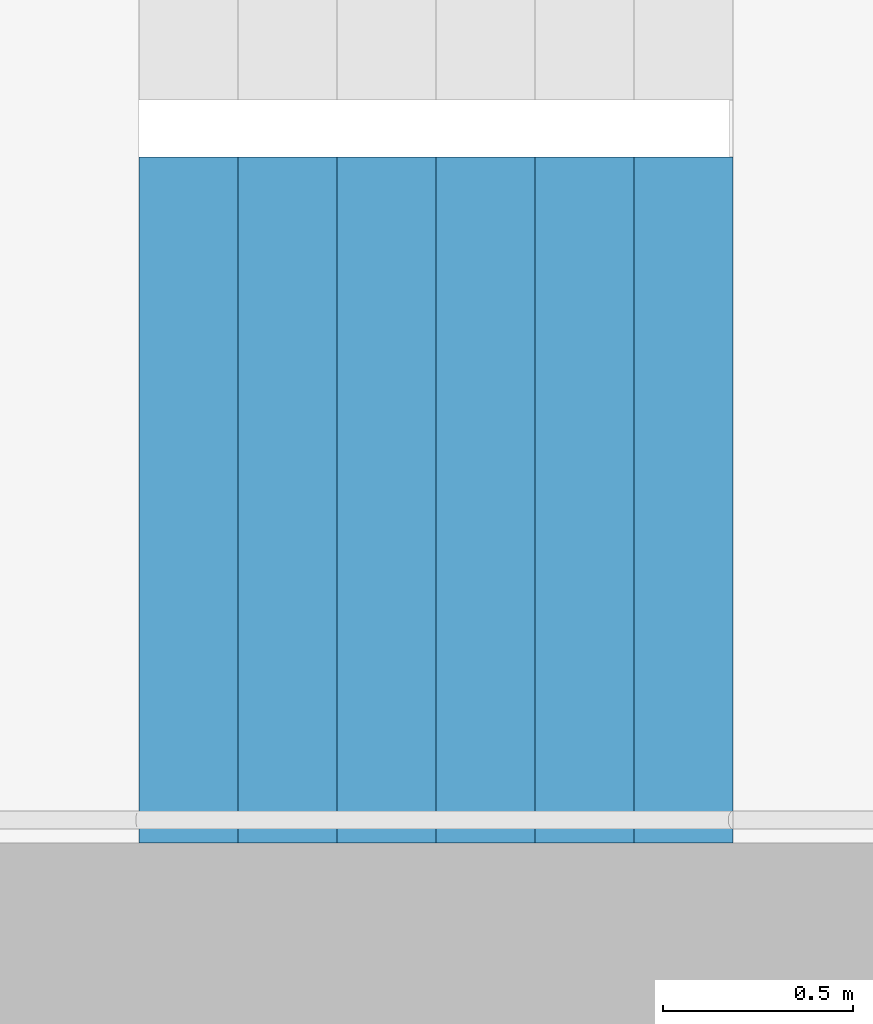
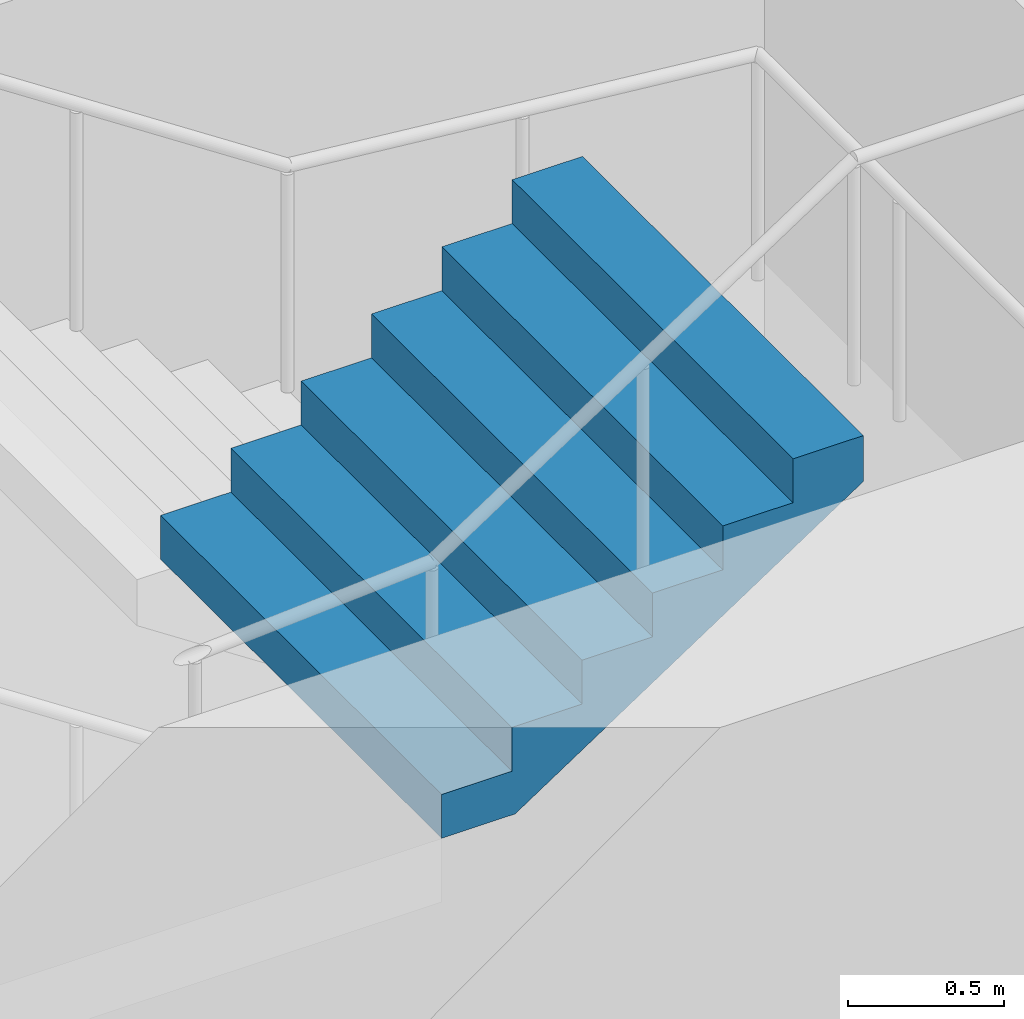
# One storey, part 28 of 53: 1 stair flight, 1 element without a shape of its own.
"""IFC4 building model written with IfcOpenShell, lengths in metres."""

import ifcopenshell
import ifcopenshell.guid

model = None  # the IFC model being written
_history = None  # IfcOwnerHistory: only IFC2X3 demands one
_inside = {}  # id of a spatial element -> (the spatial element, [elements in it])
_under = {}  # id of a project, library or spatial element -> (it, [spatial elements below it])
_declared = {}  # id of a project -> (the project, [libraries it declares])
_typed = {}  # id of a type object -> (the type object, [elements of that type])
_made_of = {}  # id of a material, layer set ... -> (it, [elements and type objects made of it])


def new_model(schema):
    """Start an empty IFC model of exactly this schema.

    Asked for "IFC4X3", IfcOpenShell would pick the latest addendum, in which some entities
    have other attributes; the version numbers below select the first issue.
    IFC2X3 requires an IfcOwnerHistory on every rooted entity: one is made here for all.
    """
    global model, _history
    if schema == "IFC4X3":
        model = ifcopenshell.file(schema_version=(4, 3, 0, 0))
    else:
        model = ifcopenshell.file(schema=schema)
    _inside.clear()
    _under.clear()
    _declared.clear()
    _typed.clear()
    _made_of.clear()
    _history = None
    if model.schema == "IFC2X3":
        org = make("IfcOrganization", Name="unknown")
        user = make(
            "IfcPersonAndOrganization",
            ThePerson=make("IfcPerson", FamilyName="unknown"),
            TheOrganization=org,
        )
        app = make(
            "IfcApplication",
            ApplicationDeveloper=org,
            Version="unknown",
            ApplicationFullName="unknown",
            ApplicationIdentifier="unknown",
        )
        _history = make(
            "IfcOwnerHistory",
            OwningUser=user,
            OwningApplication=app,
            ChangeAction="ADDED",
            CreationDate=0,
        )
    return model


def make(cls, **values):
    """One entity of the class cls with the attributes given. An attribute that is None is left unset."""
    return model.create_entity(
        cls, **{name: value for name, value in values.items() if value is not None}
    )


def rooted(cls, **values):
    """An entity with a GlobalId (a new one), such as an element, a storey or a relation."""
    return make(cls, GlobalId=ifcopenshell.guid.new(), OwnerHistory=_history, **values)


def si_unit(unit_type, name, prefix=None):
    """IfcSIUnit, for example si_unit("LENGTHUNIT", "METRE", prefix="MILLI")."""
    return make("IfcSIUnit", UnitType=unit_type, Prefix=prefix, Name=name)


def assignment(units):
    """IfcUnitAssignment: the units of a project."""
    return None if units is None else make("IfcUnitAssignment", Units=units)


def point(xyz):
    """IfcCartesianPoint."""
    return None if xyz is None else make("IfcCartesianPoint", Coordinates=xyz)


def direction(xyz):
    """IfcDirection."""
    return None if xyz is None else make("IfcDirection", DirectionRatios=xyz)


def frame(location, z_axis=None, x_axis=None):
    """IfcAxis2Placement3D, a coordinate frame: its origin and axes. An axis left out is left unset."""
    return make(
        "IfcAxis2Placement3D",
        Location=point(location),
        Axis=direction(z_axis),
        RefDirection=direction(x_axis),
    )


def origin():
    """The frame at (0, 0, 0) with its axes left unset."""
    return frame((0.0, 0.0, 0.0))


def place(relative_to, where):
    """IfcLocalPlacement: puts the frame where relative to a parent placement (None: the world)."""
    return make(
        "IfcLocalPlacement", PlacementRelTo=relative_to, RelativePlacement=where
    )


def context(
    kind, dimensions, precision=None, world=None, true_north=None, identifier=None
):
    """IfcGeometricRepresentationContext, for example the 3D "Model" context."""
    return make(
        "IfcGeometricRepresentationContext",
        ContextIdentifier=identifier,
        ContextType=kind,
        CoordinateSpaceDimension=dimensions,
        Precision=precision,
        WorldCoordinateSystem=world,
        TrueNorth=true_north,
    )


def subcontext(parent, identifier, kind, view, scale=None):
    """IfcGeometricRepresentationSubContext, for example "Body" below "Model"."""
    return make(
        "IfcGeometricRepresentationSubContext",
        ContextIdentifier=identifier,
        ContextType=kind,
        ParentContext=parent,
        TargetScale=scale,
        TargetView=view,
    )


def project(units=None, contexts=None):
    """IfcProject with its units and contexts."""
    return rooted(
        "IfcProject",
        Name="project",
        RepresentationContexts=contexts,
        UnitsInContext=assignment(units),
    )


def spatial(cls, under=None, at=None, **own):
    """A site, building, storey or space (cls), placed at a placement, below another one or the project."""
    s = rooted(cls, ObjectPlacement=at, **own)
    if under is not None:
        _under.setdefault(under.id(), (under, []))[1].append(s)
    return s


def point_list(points):
    """IfcCartesianPointList2D or 3D."""
    cls = (
        "IfcCartesianPointList2D" if len(points[0]) == 2 else "IfcCartesianPointList3D"
    )
    return make(cls, CoordList=points)


def triangles(points, corners, closed=None, point_numbers=None):
    """IfcTriangulatedFaceSet: each triangle names its three corners, points numbered from 1."""
    return make(
        "IfcTriangulatedFaceSet",
        Coordinates=point_list(points),
        Closed=closed,
        CoordIndex=corners,
        PnIndex=point_numbers,
    )


def shape(context_of_items, identifier, shape_type, items):
    """IfcShapeRepresentation: the items that make up one representation, for example the "Body"."""
    return make(
        "IfcShapeRepresentation",
        ContextOfItems=context_of_items,
        RepresentationIdentifier=identifier,
        RepresentationType=shape_type,
        Items=items,
    )


def material(Name=None, Category=None):
    """IfcMaterial."""
    return make("IfcMaterial", Name=Name, Category=Category)


def made_of(thing, what):
    """Note that an element or type object is made of a material, layer set ...; save() writes the relation."""
    if what is not None:
        _made_of.setdefault(what.id(), (what, []))[1].append(thing)
    return thing


def type_object(cls, material=None, **own):
    """A type object (cls), such as IfcWallType, which elements share."""
    return made_of(rooted(cls, **own), material)


def element(
    cls,
    number,
    at=None,
    inside=None,
    cuts=None,
    type_object=None,
    material=None,
    context=None,
    identifier="Body",
    shape_type=None,
    held_by="IfcProductDefinitionShape",
    body=None,
    shapes=None,
    **own,
):
    """One element of the class cls, such as IfcWall. Its Tag is "e" and its number.

    at: its placement. inside: the storey or other place that contains it. cuts: it is an
    opening in that element (IfcRelVoidsElement). A single representation is given by context,
    identifier, shape_type and body (its items); several are given by shapes. held_by: the class
    of the entity that holds the representations. save() writes the other relations.
    """
    e = rooted(cls, Tag="e%d" % number, ObjectPlacement=at, **own)
    if body is not None:
        shapes = [shape(context, identifier, shape_type, body)]
    if shapes is not None:
        e.Representation = make(held_by, Representations=shapes)
    if inside is not None:
        _inside.setdefault(inside.id(), (inside, []))[1].append(e)
    if cuts is not None:
        rooted(
            "IfcRelVoidsElement", RelatingBuildingElement=cuts, RelatedOpeningElement=e
        )
    if type_object is not None:
        _typed.setdefault(type_object.id(), (type_object, []))[1].append(e)
    return made_of(e, material)


def aggregate(whole, parts):
    """IfcRelAggregates: a whole, such as a stair, and the parts it consists of."""
    return rooted("IfcRelAggregates", RelatingObject=whole, RelatedObjects=parts)


def save(model, path):
    """Write the relations noted so far, then the file.

    IfcRelAggregates (storeys below a building ...), IfcRelContainedInSpatialStructure (elements
    in a storey), IfcRelDefinesByType, IfcRelAssociatesMaterial and IfcRelDeclares: one each for
    every whole, place, type object, material and project.
    """
    for whole, parts in _under.values():
        aggregate(whole, parts)
    for where, things in _inside.values():
        rooted(
            "IfcRelContainedInSpatialStructure",
            RelatedElements=things,
            RelatingStructure=where,
        )
    for kind, things in _typed.values():
        rooted("IfcRelDefinesByType", RelatedObjects=things, RelatingType=kind)
    for what, things in _made_of.values():
        rooted("IfcRelAssociatesMaterial", RelatedObjects=things, RelatingMaterial=what)
    for by, libraries in _declared.values():
        rooted("IfcRelDeclares", RelatingContext=by, RelatedDefinitions=libraries)
    model.write(path)


model = new_model("IFC4")

# Units and contexts
model_context = context("Model", 3, precision=1e-05, world=origin(), true_north=direction((0.0, 1.0)))
body_context = subcontext(model_context, "Body", "Model", "MODEL_VIEW")
ifc_project = project(units=[si_unit("LENGTHUNIT", "METRE"), si_unit("AREAUNIT", "SQUARE_METRE"), si_unit("VOLUMEUNIT", "CUBIC_METRE"), si_unit("PLANEANGLEUNIT", "RADIAN"), si_unit("MASSUNIT", "GRAM", prefix="KILO")], contexts=[model_context])

# Site, building, storey
site_placement = place(None, origin())
site = spatial("IfcSite", under=ifc_project, at=site_placement, CompositionType="ELEMENT")
building_placement = place(site_placement, origin())
building = spatial("IfcBuilding", under=site, at=building_placement, Name="Hakoniwa Tower and Hamabe Station Hall", CompositionType="ELEMENT")
storey_placement = place(building_placement, frame((0.0, 0.0, 15.0)))
storey = spatial("IfcBuildingStorey", under=building, at=storey_placement, Name="L03", CompositionType="ELEMENT", Elevation=15.0)

# Stair, stair flight
ifc_material_1 = material(Name="Concrete C40", Category="concrete")
stair_type = type_object("IfcStairType", Name="ESCAPE STAIR 1800", PredefinedType="HALF_TURN_STAIR", material=ifc_material_1)
stair_placement = place(storey_placement, origin())
stair = element("IfcStair", 1, at=stair_placement, inside=storey, type_object=stair_type, Name="Escape stair ST-2 L03", PredefinedType="HALF_TURN_STAIR")
ifc_material_2 = material(Name="Concrete C40", Category="concrete")
stair_flight_type = type_object("IfcStairFlightType", Name="STAIR FLIGHT 1800", PredefinedType="STRAIGHT", material=ifc_material_2)
stair_flight_placement = place(storey_placement, frame((-24.9599609375, -6.60009765625, 3.60009765625), z_axis=(0.0, 0.0, 1.0), x_axis=(1.0, 0.0, 0.0)))
stair_flight = element("IfcStairFlight", 2, at=stair_flight_placement, type_object=stair_flight_type, Name="ST-2 flight 4", NumberOfRisers=7, NumberOfTreads=6, PredefinedType="STRAIGHT", RiserHeight=0.171428571, TreadLength=0.26, context=body_context, shape_type="Tessellation", body=[
    triangles([(0.0, 0.89990234375, 0.0), (0.260009765625, 0.89990234375, 0.0), (0.272216796875, 0.89990234375, 0.0), (0.52001953125, 0.89990234375, 0.163330078125), (0.780029296875, 0.89990234375, 0.334716796875), (1.0400390625, 0.89990234375, 0.506103515625), (1.300048828125, 0.89990234375, 0.677490234375), (1.56005859375, 0.89990234375, 0.84912109375), (1.56005859375, 0.89990234375, 1.028564453125), (1.300048828125, 0.89990234375, 1.028564453125), (1.300048828125, 0.89990234375, 0.857177734375), (1.0400390625, 0.89990234375, 0.857177734375), (1.0400390625, 0.89990234375, 0.685791015625), (0.780029296875, 0.89990234375, 0.685791015625), (0.780029296875, 0.89990234375, 0.514404296875), (0.52001953125, 0.89990234375, 0.514404296875), (0.52001953125, 0.89990234375, 0.3427734375), (0.272216796875, 0.89990234375, 0.3427734375), (0.260009765625, 0.89990234375, 0.3427734375), (0.260009765625, 0.89990234375, 0.17138671875), (0.0, 0.89990234375, 0.17138671875), (0.0, 0.06005859375, 0.0), (0.260009765625, 0.06005859375, 0.0), (0.272216796875, 0.06005859375, 0.0), (0.52001953125, 0.06005859375, 0.163330078125), (0.780029296875, 0.06005859375, 0.334716796875), (1.0400390625, 0.06005859375, 0.506103515625), (1.300048828125, 0.06005859375, 0.677490234375), (1.56005859375, 0.06005859375, 0.84912109375), (1.56005859375, 0.06005859375, 1.028564453125), (1.300048828125, 0.06005859375, 1.028564453125), (1.300048828125, 0.06005859375, 0.857177734375), (1.0400390625, 0.06005859375, 0.857177734375), (1.0400390625, 0.06005859375, 0.685791015625), (0.780029296875, 0.06005859375, 0.685791015625), (0.780029296875, 0.06005859375, 0.514404296875), (0.52001953125, 0.06005859375, 0.514404296875), (0.52001953125, 0.06005859375, 0.3427734375), (0.272216796875, 0.06005859375, 0.3427734375), (0.260009765625, 0.06005859375, 0.3427734375), (0.260009765625, 0.06005859375, 0.17138671875), (0.0, 0.06005859375, 0.17138671875), (0.0, 0.049072265625, 0.0), (0.260009765625, 0.049072265625, 0.0), (0.272216796875, 0.049072265625, 0.0), (0.52001953125, 0.049072265625, 0.163330078125), (0.780029296875, 0.049072265625, 0.334716796875), (1.0400390625, 0.049072265625, 0.506103515625), (1.300048828125, 0.049072265625, 0.677490234375), (1.56005859375, 0.049072265625, 0.84912109375), (1.56005859375, 0.049072265625, 1.028564453125), (1.300048828125, 0.049072265625, 1.028564453125), (1.300048828125, 0.049072265625, 0.857177734375), (1.0400390625, 0.049072265625, 0.857177734375), (1.0400390625, 0.049072265625, 0.685791015625), (0.780029296875, 0.049072265625, 0.685791015625), (0.780029296875, 0.049072265625, 0.514404296875), (0.52001953125, 0.049072265625, 0.514404296875), (0.52001953125, 0.049072265625, 0.3427734375), (0.272216796875, 0.049072265625, 0.3427734375), (0.260009765625, 0.049072265625, 0.3427734375), (0.260009765625, 0.049072265625, 0.17138671875), (0.0, 0.049072265625, 0.17138671875), (0.0, 0.0380859375, 0.0), (0.260009765625, 0.0380859375, 0.0), (0.272216796875, 0.0380859375, 0.0), (0.52001953125, 0.0380859375, 0.163330078125), (0.780029296875, 0.0380859375, 0.334716796875), (1.0400390625, 0.0380859375, 0.506103515625), (1.300048828125, 0.0380859375, 0.677490234375), (1.56005859375, 0.0380859375, 0.84912109375), (1.56005859375, 0.0380859375, 1.028564453125), (1.300048828125, 0.0380859375, 1.028564453125), (1.300048828125, 0.0380859375, 0.857177734375), (1.0400390625, 0.0380859375, 0.857177734375), (1.0400390625, 0.0380859375, 0.685791015625), (0.780029296875, 0.0380859375, 0.685791015625), (0.780029296875, 0.0380859375, 0.514404296875), (0.52001953125, 0.0380859375, 0.514404296875), (0.52001953125, 0.0380859375, 0.3427734375), (0.272216796875, 0.0380859375, 0.3427734375), (0.260009765625, 0.0380859375, 0.3427734375), (0.260009765625, 0.0380859375, 0.17138671875), (0.0, 0.0380859375, 0.17138671875), (0.0, 0.02734375, 0.0), (0.260009765625, 0.02734375, 0.0), (0.272216796875, 0.02734375, 0.0), (0.52001953125, 0.02734375, 0.163330078125), (0.780029296875, 0.02734375, 0.334716796875), (1.0400390625, 0.02734375, 0.506103515625), (1.300048828125, 0.02734375, 0.677490234375), (1.56005859375, 0.02734375, 0.84912109375), (1.56005859375, 0.02734375, 1.028564453125), (1.300048828125, 0.02734375, 1.028564453125), (1.300048828125, 0.02734375, 0.857177734375), (1.0400390625, 0.02734375, 0.857177734375), (1.0400390625, 0.02734375, 0.685791015625), (0.780029296875, 0.02734375, 0.685791015625), (0.780029296875, 0.02734375, 0.514404296875), (0.52001953125, 0.02734375, 0.514404296875), (0.52001953125, 0.02734375, 0.3427734375), (0.272216796875, 0.02734375, 0.3427734375), (0.260009765625, 0.02734375, 0.3427734375), (0.260009765625, 0.02734375, 0.17138671875), (0.0, 0.02734375, 0.17138671875), (0.0, 0.016357421875, 0.0), (0.260009765625, 0.016357421875, 0.0), (0.272216796875, 0.016357421875, 0.0), (0.52001953125, 0.016357421875, 0.163330078125), (0.780029296875, 0.016357421875, 0.334716796875), (1.0400390625, 0.016357421875, 0.506103515625), (1.300048828125, 0.016357421875, 0.677490234375), (1.56005859375, 0.016357421875, 0.84912109375), (1.56005859375, 0.016357421875, 1.028564453125), (1.300048828125, 0.016357421875, 1.028564453125), (1.300048828125, 0.016357421875, 0.857177734375), (1.0400390625, 0.016357421875, 0.857177734375), (1.0400390625, 0.016357421875, 0.685791015625), (0.780029296875, 0.016357421875, 0.685791015625), (0.780029296875, 0.016357421875, 0.514404296875), (0.52001953125, 0.016357421875, 0.514404296875), (0.52001953125, 0.016357421875, 0.3427734375), (0.272216796875, 0.016357421875, 0.3427734375), (0.260009765625, 0.016357421875, 0.3427734375), (0.260009765625, 0.016357421875, 0.17138671875), (0.0, 0.016357421875, 0.17138671875), (0.0, 0.00537109375, 0.0), (0.260009765625, 0.00537109375, 0.0), (0.272216796875, 0.00537109375, 0.0), (0.52001953125, 0.00537109375, 0.163330078125), (0.780029296875, 0.00537109375, 0.334716796875), (1.0400390625, 0.00537109375, 0.506103515625), (1.300048828125, 0.00537109375, 0.677490234375), (1.56005859375, 0.00537109375, 0.84912109375), (1.56005859375, 0.00537109375, 1.028564453125), (1.300048828125, 0.00537109375, 1.028564453125), (1.300048828125, 0.00537109375, 0.857177734375), (1.0400390625, 0.00537109375, 0.857177734375), (1.0400390625, 0.00537109375, 0.685791015625), (0.780029296875, 0.00537109375, 0.685791015625), (0.780029296875, 0.00537109375, 0.514404296875), (0.52001953125, 0.00537109375, 0.514404296875), (0.52001953125, 0.00537109375, 0.3427734375), (0.272216796875, 0.00537109375, 0.3427734375), (0.260009765625, 0.00537109375, 0.3427734375), (0.260009765625, 0.00537109375, 0.17138671875), (0.0, 0.00537109375, 0.17138671875), (0.0, -0.00537109375, 0.0), (0.260009765625, -0.00537109375, 0.0), (0.272216796875, -0.00537109375, 0.0), (0.52001953125, -0.00537109375, 0.163330078125), (0.780029296875, -0.00537109375, 0.334716796875), (1.0400390625, -0.00537109375, 0.506103515625), (1.300048828125, -0.00537109375, 0.677490234375), (1.56005859375, -0.00537109375, 0.84912109375), (1.56005859375, -0.00537109375, 1.028564453125), (1.300048828125, -0.00537109375, 1.028564453125), (1.300048828125, -0.00537109375, 0.857177734375), (1.0400390625, -0.00537109375, 0.857177734375), (1.0400390625, -0.00537109375, 0.685791015625), (0.780029296875, -0.00537109375, 0.685791015625), (0.780029296875, -0.00537109375, 0.514404296875), (0.52001953125, -0.00537109375, 0.514404296875), (0.52001953125, -0.00537109375, 0.3427734375), (0.272216796875, -0.00537109375, 0.3427734375), (0.260009765625, -0.00537109375, 0.3427734375), (0.260009765625, -0.00537109375, 0.17138671875), (0.0, -0.00537109375, 0.17138671875), (0.0, -0.016357421875, 0.0), (0.260009765625, -0.016357421875, 0.0), (0.272216796875, -0.016357421875, 0.0), (0.52001953125, -0.016357421875, 0.163330078125), (0.780029296875, -0.016357421875, 0.334716796875), (1.0400390625, -0.016357421875, 0.506103515625), (1.300048828125, -0.016357421875, 0.677490234375), (1.56005859375, -0.016357421875, 0.84912109375), (1.56005859375, -0.016357421875, 1.028564453125), (1.300048828125, -0.016357421875, 1.028564453125), (1.300048828125, -0.016357421875, 0.857177734375), (1.0400390625, -0.016357421875, 0.857177734375), (1.0400390625, -0.016357421875, 0.685791015625), (0.780029296875, -0.016357421875, 0.685791015625), (0.780029296875, -0.016357421875, 0.514404296875), (0.52001953125, -0.016357421875, 0.514404296875), (0.52001953125, -0.016357421875, 0.3427734375), (0.272216796875, -0.016357421875, 0.3427734375), (0.260009765625, -0.016357421875, 0.3427734375), (0.260009765625, -0.016357421875, 0.17138671875), (0.0, -0.016357421875, 0.17138671875), (0.0, -0.02734375, 0.0), (0.260009765625, -0.02734375, 0.0), (0.272216796875, -0.02734375, 0.0), (0.52001953125, -0.02734375, 0.163330078125), (0.780029296875, -0.02734375, 0.334716796875), (1.0400390625, -0.02734375, 0.506103515625), (1.300048828125, -0.02734375, 0.677490234375), (1.56005859375, -0.02734375, 0.84912109375), (1.56005859375, -0.02734375, 1.028564453125), (1.300048828125, -0.02734375, 1.028564453125), (1.300048828125, -0.02734375, 0.857177734375), (1.0400390625, -0.02734375, 0.857177734375), (1.0400390625, -0.02734375, 0.685791015625), (0.780029296875, -0.02734375, 0.685791015625), (0.780029296875, -0.02734375, 0.514404296875), (0.52001953125, -0.02734375, 0.514404296875), (0.52001953125, -0.02734375, 0.3427734375), (0.272216796875, -0.02734375, 0.3427734375), (0.260009765625, -0.02734375, 0.3427734375), (0.260009765625, -0.02734375, 0.17138671875), (0.0, -0.02734375, 0.17138671875), (0.0, -0.0380859375, 0.0), (0.260009765625, -0.0380859375, 0.0), (0.272216796875, -0.0380859375, 0.0), (0.52001953125, -0.0380859375, 0.163330078125), (0.780029296875, -0.0380859375, 0.334716796875), (1.0400390625, -0.0380859375, 0.506103515625), (1.300048828125, -0.0380859375, 0.677490234375), (1.56005859375, -0.0380859375, 0.84912109375), (1.56005859375, -0.0380859375, 1.028564453125), (1.300048828125, -0.0380859375, 1.028564453125), (1.300048828125, -0.0380859375, 0.857177734375), (1.0400390625, -0.0380859375, 0.857177734375), (1.0400390625, -0.0380859375, 0.685791015625), (0.780029296875, -0.0380859375, 0.685791015625), (0.780029296875, -0.0380859375, 0.514404296875), (0.52001953125, -0.0380859375, 0.514404296875), (0.52001953125, -0.0380859375, 0.3427734375), (0.272216796875, -0.0380859375, 0.3427734375), (0.260009765625, -0.0380859375, 0.3427734375), (0.260009765625, -0.0380859375, 0.17138671875), (0.0, -0.0380859375, 0.17138671875), (0.0, -0.049072265625, 0.0), (0.260009765625, -0.049072265625, 0.0), (0.272216796875, -0.049072265625, 0.0), (0.52001953125, -0.049072265625, 0.163330078125), (0.780029296875, -0.049072265625, 0.334716796875), (1.0400390625, -0.049072265625, 0.506103515625), (1.300048828125, -0.049072265625, 0.677490234375), (1.56005859375, -0.049072265625, 0.84912109375), (1.56005859375, -0.049072265625, 1.028564453125), (1.300048828125, -0.049072265625, 1.028564453125), (1.300048828125, -0.049072265625, 0.857177734375), (1.0400390625, -0.049072265625, 0.857177734375), (1.0400390625, -0.049072265625, 0.685791015625), (0.780029296875, -0.049072265625, 0.685791015625), (0.780029296875, -0.049072265625, 0.514404296875), (0.52001953125, -0.049072265625, 0.514404296875), (0.52001953125, -0.049072265625, 0.3427734375), (0.272216796875, -0.049072265625, 0.3427734375), (0.260009765625, -0.049072265625, 0.3427734375), (0.260009765625, -0.049072265625, 0.17138671875), (0.0, -0.049072265625, 0.17138671875), (0.0, -0.06005859375, 0.0), (0.260009765625, -0.06005859375, 0.0), (0.272216796875, -0.06005859375, 0.0), (0.52001953125, -0.06005859375, 0.163330078125), (0.780029296875, -0.06005859375, 0.334716796875), (1.0400390625, -0.06005859375, 0.506103515625), (1.300048828125, -0.06005859375, 0.677490234375), (1.56005859375, -0.06005859375, 0.84912109375), (1.56005859375, -0.06005859375, 1.028564453125), (1.300048828125, -0.06005859375, 1.028564453125), (1.300048828125, -0.06005859375, 0.857177734375), (1.0400390625, -0.06005859375, 0.857177734375), (1.0400390625, -0.06005859375, 0.685791015625), (0.780029296875, -0.06005859375, 0.685791015625), (0.780029296875, -0.06005859375, 0.514404296875), (0.52001953125, -0.06005859375, 0.514404296875), (0.52001953125, -0.06005859375, 0.3427734375), (0.272216796875, -0.06005859375, 0.3427734375), (0.260009765625, -0.06005859375, 0.3427734375), (0.260009765625, -0.06005859375, 0.17138671875), (0.0, -0.06005859375, 0.17138671875), (0.0, -0.89990234375, 0.0), (0.260009765625, -0.89990234375, 0.0), (0.272216796875, -0.89990234375, 0.0), (0.52001953125, -0.89990234375, 0.163330078125), (0.780029296875, -0.89990234375, 0.334716796875), (1.0400390625, -0.89990234375, 0.506103515625), (1.300048828125, -0.89990234375, 0.677490234375), (1.56005859375, -0.89990234375, 0.84912109375), (1.56005859375, -0.89990234375, 1.028564453125), (1.300048828125, -0.89990234375, 1.028564453125), (1.300048828125, -0.89990234375, 0.857177734375), (1.0400390625, -0.89990234375, 0.857177734375), (1.0400390625, -0.89990234375, 0.685791015625), (0.780029296875, -0.89990234375, 0.685791015625), (0.780029296875, -0.89990234375, 0.514404296875), (0.52001953125, -0.89990234375, 0.514404296875), (0.52001953125, -0.89990234375, 0.3427734375), (0.272216796875, -0.89990234375, 0.3427734375), (0.260009765625, -0.89990234375, 0.3427734375), (0.260009765625, -0.89990234375, 0.17138671875), (0.0, -0.89990234375, 0.17138671875)], [[2, 21, 20], [275, 293, 294], [2, 1, 21], [275, 294, 274], [3, 19, 18], [276, 291, 292], [3, 20, 19], [276, 292, 293], [3, 2, 20], [276, 293, 275], [4, 18, 17], [277, 290, 291], [4, 3, 18], [277, 291, 276], [5, 16, 15], [278, 288, 289], [5, 17, 16], [278, 289, 290], [5, 4, 17], [278, 290, 277], [6, 14, 13], [279, 286, 287], [6, 15, 14], [279, 287, 288], [6, 5, 15], [279, 288, 278], [7, 12, 11], [280, 284, 285], [7, 13, 12], [280, 285, 286], [7, 6, 13], [280, 286, 279], [8, 10, 9], [281, 282, 283], [8, 11, 10], [281, 283, 284], [8, 7, 11], [281, 284, 280], [1, 2, 23], [1, 23, 22], [22, 23, 44], [22, 44, 43], [43, 44, 65], [43, 65, 64], [64, 65, 86], [64, 86, 85], [85, 86, 107], [85, 107, 106], [106, 107, 128], [106, 128, 127], [127, 128, 149], [127, 149, 148], [148, 149, 170], [148, 170, 169], [169, 170, 191], [169, 191, 190], [190, 191, 212], [190, 212, 211], [211, 212, 233], [211, 233, 232], [232, 233, 254], [232, 254, 253], [253, 254, 275], [253, 275, 274], [2, 3, 24], [2, 24, 23], [23, 24, 45], [23, 45, 44], [44, 45, 66], [44, 66, 65], [65, 66, 87], [65, 87, 86], [86, 87, 108], [86, 108, 107], [107, 108, 129], [107, 129, 128], [128, 129, 150], [128, 150, 149], [149, 150, 171], [149, 171, 170], [170, 171, 192], [170, 192, 191], [191, 192, 213], [191, 213, 212], [212, 213, 234], [212, 234, 233], [233, 234, 255], [233, 255, 254], [254, 255, 276], [254, 276, 275], [3, 4, 25], [3, 25, 24], [24, 25, 46], [24, 46, 45], [45, 46, 67], [45, 67, 66], [66, 67, 88], [66, 88, 87], [87, 88, 109], [87, 109, 108], [108, 109, 130], [108, 130, 129], [129, 130, 151], [129, 151, 150], [150, 151, 172], [150, 172, 171], [171, 172, 193], [171, 193, 192], [192, 193, 214], [192, 214, 213], [213, 214, 235], [213, 235, 234], [234, 235, 256], [234, 256, 255], [255, 256, 277], [255, 277, 276], [4, 5, 26], [4, 26, 25], [25, 26, 47], [25, 47, 46], [46, 47, 68], [46, 68, 67], [67, 68, 89], [67, 89, 88], [88, 89, 110], [88, 110, 109], [109, 110, 131], [109, 131, 130], [130, 131, 152], [130, 152, 151], [151, 152, 173], [151, 173, 172], [172, 173, 194], [172, 194, 193], [193, 194, 215], [193, 215, 214], [214, 215, 236], [214, 236, 235], [235, 236, 257], [235, 257, 256], [256, 257, 278], [256, 278, 277], [5, 6, 27], [5, 27, 26], [26, 27, 48], [26, 48, 47], [47, 48, 69], [47, 69, 68], [68, 69, 90], [68, 90, 89], [89, 90, 111], [89, 111, 110], [110, 111, 132], [110, 132, 131], [131, 132, 153], [131, 153, 152], [152, 153, 174], [152, 174, 173], [173, 174, 195], [173, 195, 194], [194, 195, 216], [194, 216, 215], [215, 216, 237], [215, 237, 236], [236, 237, 258], [236, 258, 257], [257, 258, 279], [257, 279, 278], [6, 7, 28], [6, 28, 27], [27, 28, 49], [27, 49, 48], [48, 49, 70], [48, 70, 69], [69, 70, 91], [69, 91, 90], [90, 91, 112], [90, 112, 111], [111, 112, 133], [111, 133, 132], [132, 133, 154], [132, 154, 153], [153, 154, 175], [153, 175, 174], [174, 175, 196], [174, 196, 195], [195, 196, 217], [195, 217, 216], [216, 217, 238], [216, 238, 237], [237, 238, 259], [237, 259, 258], [258, 259, 280], [258, 280, 279], [7, 8, 29], [7, 29, 28], [28, 29, 50], [28, 50, 49], [49, 50, 71], [49, 71, 70], [70, 71, 92], [70, 92, 91], [91, 92, 113], [91, 113, 112], [112, 113, 134], [112, 134, 133], [133, 134, 155], [133, 155, 154], [154, 155, 176], [154, 176, 175], [175, 176, 197], [175, 197, 196], [196, 197, 218], [196, 218, 217], [217, 218, 239], [217, 239, 238], [238, 239, 260], [238, 260, 259], [259, 260, 281], [259, 281, 280], [8, 9, 30], [8, 30, 29], [29, 30, 51], [29, 51, 50], [50, 51, 72], [50, 72, 71], [71, 72, 93], [71, 93, 92], [92, 93, 114], [92, 114, 113], [113, 114, 135], [113, 135, 134], [134, 135, 156], [134, 156, 155], [155, 156, 177], [155, 177, 176], [176, 177, 198], [176, 198, 197], [197, 198, 219], [197, 219, 218], [218, 219, 240], [218, 240, 239], [239, 240, 261], [239, 261, 260], [260, 261, 282], [260, 282, 281], [9, 10, 31], [9, 31, 30], [30, 31, 52], [30, 52, 51], [51, 52, 73], [51, 73, 72], [72, 73, 94], [72, 94, 93], [93, 94, 115], [93, 115, 114], [114, 115, 136], [114, 136, 135], [135, 136, 157], [135, 157, 156], [156, 157, 178], [156, 178, 177], [177, 178, 199], [177, 199, 198], [198, 199, 220], [198, 220, 219], [219, 220, 241], [219, 241, 240], [240, 241, 262], [240, 262, 261], [261, 262, 283], [261, 283, 282], [10, 11, 32], [10, 32, 31], [31, 32, 53], [31, 53, 52], [52, 53, 74], [52, 74, 73], [73, 74, 95], [73, 95, 94], [94, 95, 116], [94, 116, 115], [115, 116, 137], [115, 137, 136], [136, 137, 158], [136, 158, 157], [157, 158, 179], [157, 179, 178], [178, 179, 200], [178, 200, 199], [199, 200, 221], [199, 221, 220], [220, 221, 242], [220, 242, 241], [241, 242, 263], [241, 263, 262], [262, 263, 284], [262, 284, 283], [11, 12, 33], [11, 33, 32], [32, 33, 54], [32, 54, 53], [53, 54, 75], [53, 75, 74], [74, 75, 96], [74, 96, 95], [95, 96, 117], [95, 117, 116], [116, 117, 138], [116, 138, 137], [137, 138, 159], [137, 159, 158], [158, 159, 180], [158, 180, 179], [179, 180, 201], [179, 201, 200], [200, 201, 222], [200, 222, 221], [221, 222, 243], [221, 243, 242], [242, 243, 264], [242, 264, 263], [263, 264, 285], [263, 285, 284], [12, 13, 34], [12, 34, 33], [33, 34, 55], [33, 55, 54], [54, 55, 76], [54, 76, 75], [75, 76, 97], [75, 97, 96], [96, 97, 118], [96, 118, 117], [117, 118, 139], [117, 139, 138], [138, 139, 160], [138, 160, 159], [159, 160, 181], [159, 181, 180], [180, 181, 202], [180, 202, 201], [201, 202, 223], [201, 223, 222], [222, 223, 244], [222, 244, 243], [243, 244, 265], [243, 265, 264], [264, 265, 286], [264, 286, 285], [13, 14, 35], [13, 35, 34], [34, 35, 56], [34, 56, 55], [55, 56, 77], [55, 77, 76], [76, 77, 98], [76, 98, 97], [97, 98, 119], [97, 119, 118], [118, 119, 140], [118, 140, 139], [139, 140, 161], [139, 161, 160], [160, 161, 182], [160, 182, 181], [181, 182, 203], [181, 203, 202], [202, 203, 224], [202, 224, 223], [223, 224, 245], [223, 245, 244], [244, 245, 266], [244, 266, 265], [265, 266, 287], [265, 287, 286], [14, 15, 36], [14, 36, 35], [35, 36, 57], [35, 57, 56], [56, 57, 78], [56, 78, 77], [77, 78, 99], [77, 99, 98], [98, 99, 120], [98, 120, 119], [119, 120, 141], [119, 141, 140], [140, 141, 162], [140, 162, 161], [161, 162, 183], [161, 183, 182], [182, 183, 204], [182, 204, 203], [203, 204, 225], [203, 225, 224], [224, 225, 246], [224, 246, 245], [245, 246, 267], [245, 267, 266], [266, 267, 288], [266, 288, 287], [15, 16, 37], [15, 37, 36], [36, 37, 58], [36, 58, 57], [57, 58, 79], [57, 79, 78], [78, 79, 100], [78, 100, 99], [99, 100, 121], [99, 121, 120], [120, 121, 142], [120, 142, 141], [141, 142, 163], [141, 163, 162], [162, 163, 184], [162, 184, 183], [183, 184, 205], [183, 205, 204], [204, 205, 226], [204, 226, 225], [225, 226, 247], [225, 247, 246], [246, 247, 268], [246, 268, 267], [267, 268, 289], [267, 289, 288], [16, 17, 38], [16, 38, 37], [37, 38, 59], [37, 59, 58], [58, 59, 80], [58, 80, 79], [79, 80, 101], [79, 101, 100], [100, 101, 122], [100, 122, 121], [121, 122, 143], [121, 143, 142], [142, 143, 164], [142, 164, 163], [163, 164, 185], [163, 185, 184], [184, 185, 206], [184, 206, 205], [205, 206, 227], [205, 227, 226], [226, 227, 248], [226, 248, 247], [247, 248, 269], [247, 269, 268], [268, 269, 290], [268, 290, 289], [17, 18, 39], [17, 39, 38], [38, 39, 60], [38, 60, 59], [59, 60, 81], [59, 81, 80], [80, 81, 102], [80, 102, 101], [101, 102, 123], [101, 123, 122], [122, 123, 144], [122, 144, 143], [143, 144, 165], [143, 165, 164], [164, 165, 186], [164, 186, 185], [185, 186, 207], [185, 207, 206], [206, 207, 228], [206, 228, 227], [227, 228, 249], [227, 249, 248], [248, 249, 270], [248, 270, 269], [269, 270, 291], [269, 291, 290], [18, 19, 40], [18, 40, 39], [39, 40, 61], [39, 61, 60], [60, 61, 82], [60, 82, 81], [81, 82, 103], [81, 103, 102], [102, 103, 124], [102, 124, 123], [123, 124, 145], [123, 145, 144], [144, 145, 166], [144, 166, 165], [165, 166, 187], [165, 187, 186], [186, 187, 208], [186, 208, 207], [207, 208, 229], [207, 229, 228], [228, 229, 250], [228, 250, 249], [249, 250, 271], [249, 271, 270], [270, 271, 292], [270, 292, 291], [19, 20, 41], [19, 41, 40], [40, 41, 62], [40, 62, 61], [61, 62, 83], [61, 83, 82], [82, 83, 104], [82, 104, 103], [103, 104, 125], [103, 125, 124], [124, 125, 146], [124, 146, 145], [145, 146, 167], [145, 167, 166], [166, 167, 188], [166, 188, 187], [187, 188, 209], [187, 209, 208], [208, 209, 230], [208, 230, 229], [229, 230, 251], [229, 251, 250], [250, 251, 272], [250, 272, 271], [271, 272, 293], [271, 293, 292], [20, 21, 42], [20, 42, 41], [41, 42, 63], [41, 63, 62], [62, 63, 84], [62, 84, 83], [83, 84, 105], [83, 105, 104], [104, 105, 126], [104, 126, 125], [125, 126, 147], [125, 147, 146], [146, 147, 168], [146, 168, 167], [167, 168, 189], [167, 189, 188], [188, 189, 210], [188, 210, 209], [209, 210, 231], [209, 231, 230], [230, 231, 252], [230, 252, 251], [251, 252, 273], [251, 273, 272], [272, 273, 294], [272, 294, 293], [21, 1, 22], [21, 22, 42], [42, 22, 43], [42, 43, 63], [63, 43, 64], [63, 64, 84], [84, 64, 85], [84, 85, 105], [105, 85, 106], [105, 106, 126], [126, 106, 127], [126, 127, 147], [147, 127, 148], [147, 148, 168], [168, 148, 169], [168, 169, 189], [189, 169, 190], [189, 190, 210], [210, 190, 211], [210, 211, 231], [231, 211, 232], [231, 232, 252], [252, 232, 253], [252, 253, 273], [273, 253, 274], [273, 274, 294]], closed=True),
])
aggregate(stair, [stair_flight])

save(model, "model.ifc")
